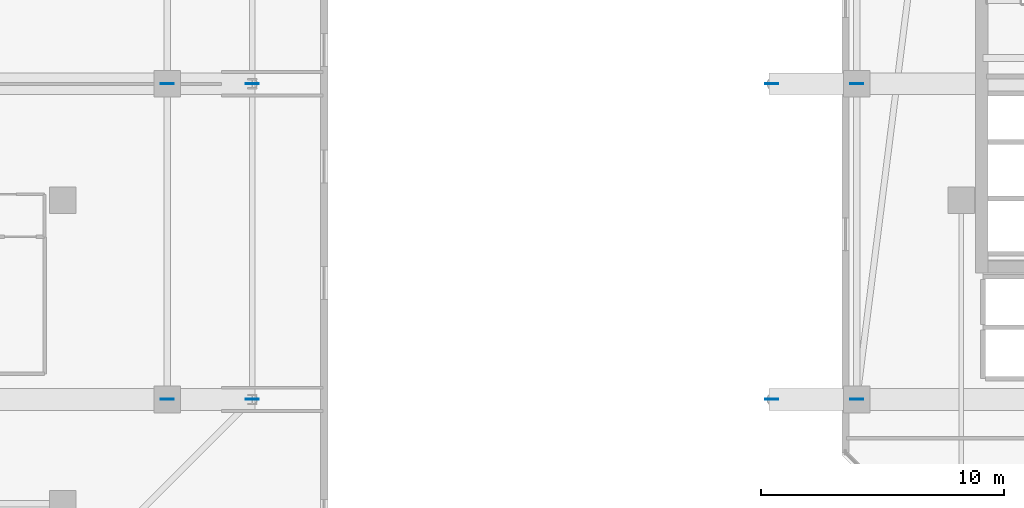
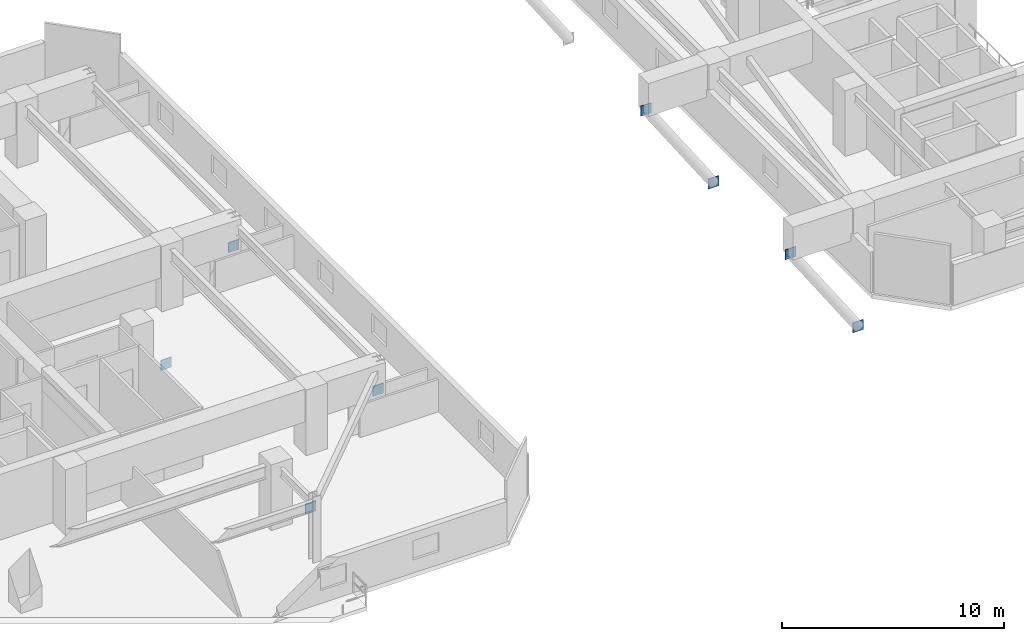
# One storey, part 19 of 36: 8 plates.
"""IFC4 building model written with IfcOpenShell, lengths in metres."""

from ifc_helpers import new_model, si_unit, direction, frame, origin, origin_2d, place, context, subcontext, project, spatial, rectangle, extrude, material, layer, layer_set, type_object, element, save


model = new_model("IFC4")

# Units and contexts
model_context = context("Model", 3, precision=1e-05, world=origin(), true_north=direction((0.0, 1.0)))
body_context = subcontext(model_context, "Body", "Model", "MODEL_VIEW")
ifc_project = project(units=[si_unit("LENGTHUNIT", "METRE"), si_unit("AREAUNIT", "SQUARE_METRE"), si_unit("VOLUMEUNIT", "CUBIC_METRE"), si_unit("PLANEANGLEUNIT", "RADIAN"), si_unit("MASSUNIT", "GRAM", prefix="KILO")], contexts=[model_context])

# Site, building, storey
site_placement = place(None, origin())
site = spatial("IfcSite", under=ifc_project, at=site_placement, CompositionType="ELEMENT")
building_placement = place(site_placement, origin())
building = spatial("IfcBuilding", under=site, at=building_placement, Name="Thornwick Lancets Civic Towers", CompositionType="ELEMENT")
storey_placement = place(building_placement, frame((0.0, 0.0, 170.699951171875)))
storey = spatial("IfcBuildingStorey", under=building, at=storey_placement, Name="L45", CompositionType="ELEMENT", Elevation=170.699951171875)

# Plates
ifc_material = material(Name="Steel S460M", Category="steel")
ifc_layer = layer(ifc_material, 0.0400390625, Name="Steel S460M")
ifc_layer_set = layer_set([ifc_layer], Name="Steel S460M")
plate_type = type_object("IfcPlateType", Name="PLT_GUSSET_40", PredefinedType="USERDEFINED", material=ifc_layer_set)
for number, where, z_axis, x_axis, name in (
    (1, (42.800048828125, 14.0, -3.625), (0.0, 0.0, 1.0), (1.0, 0.0, 0.0), "L45 Brace Connection Gusset Plate 0263"),
    (2, (46.300048828125, 14.0, 1.60498046875), (0.0, 0.0, 1.0), (1.0, 0.0, 0.0), "L45 Brace Connection Gusset Plate 0264"),
    (3, (42.800048828125, 27.0, -3.625), (0.0, 0.0, 1.0), (1.0, 0.0, 0.0), "L45 Brace Connection Gusset Plate 0265"),
    (4, (46.300048828125, 27.0, 1.60498046875), (0.0, 0.0, 1.0), (1.0, 0.0, 0.0), "L45 Brace Connection Gusset Plate 0266"),
    (5, (71.199951171875, 14.0, -3.625), (0.0, 0.0, 1.0), (-1.0, 0.0, 0.0), "L45 Brace Connection Gusset Plate 0281"),
    (6, (67.699951171875, 14.0, 1.60498046875), (0.0, 0.0, 1.0), (-1.0, 0.0, 0.0), "L45 Brace Connection Gusset Plate 0282"),
    (7, (71.199951171875, 27.0, -3.625), (0.0, 0.0, 1.0), (-1.0, 0.0, 0.0), "L45 Brace Connection Gusset Plate 0283"),
    (8, (67.699951171875, 27.0, 1.60498046875), (0.0, 0.0, 1.0), (-1.0, 0.0, 0.0), "L45 Brace Connection Gusset Plate 0284"),
):
    element("IfcPlate", number, at=place(storey_placement, frame(where, z_axis=z_axis, x_axis=x_axis)), inside=storey, type_object=plate_type, Name=name, ObjectType="GUSSET_PLATE", PredefinedType="USERDEFINED", context=body_context, shape_type="SweptSolid", body=[
        extrude(rectangle(XDim=0.550048828125, YDim=0.0400390625, at=origin_2d()), origin(), (0.0, 0.0, 1.0), 0.550048828125),
    ])

save(model, "model.ifc")
